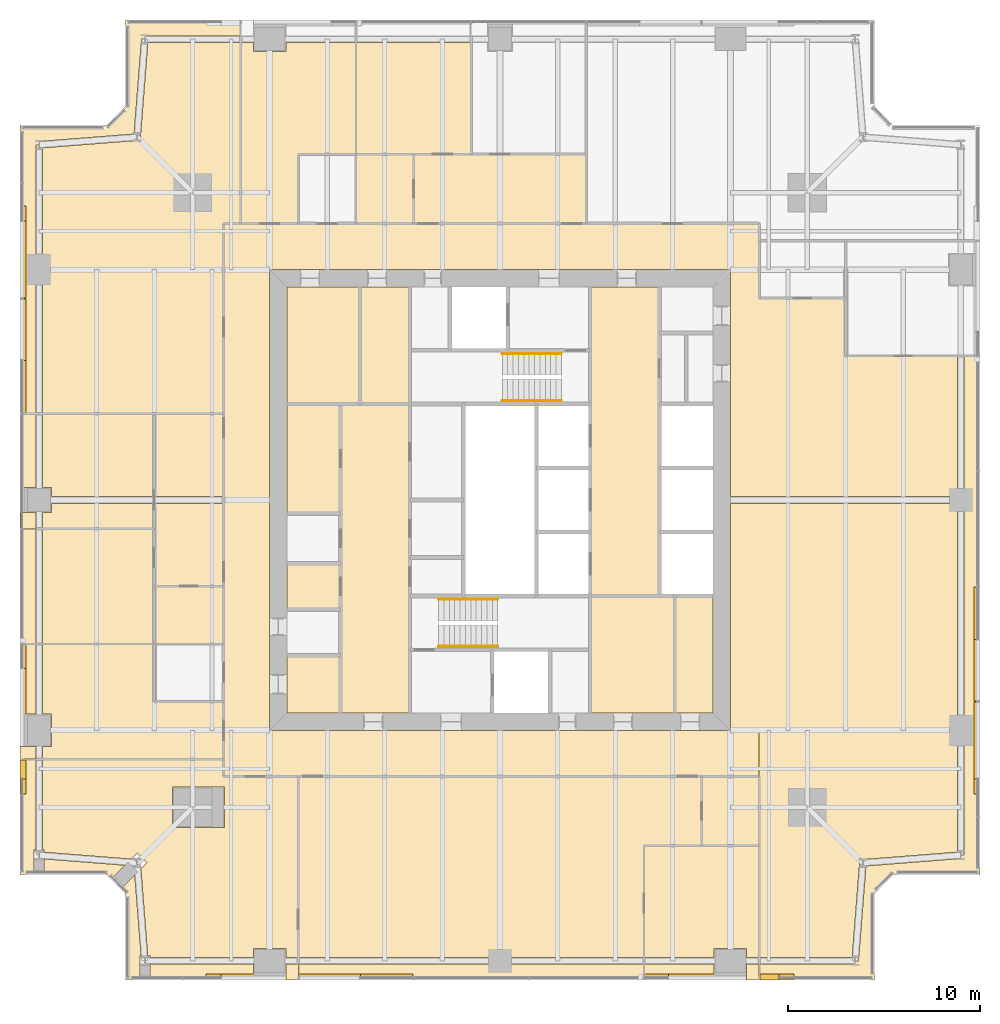
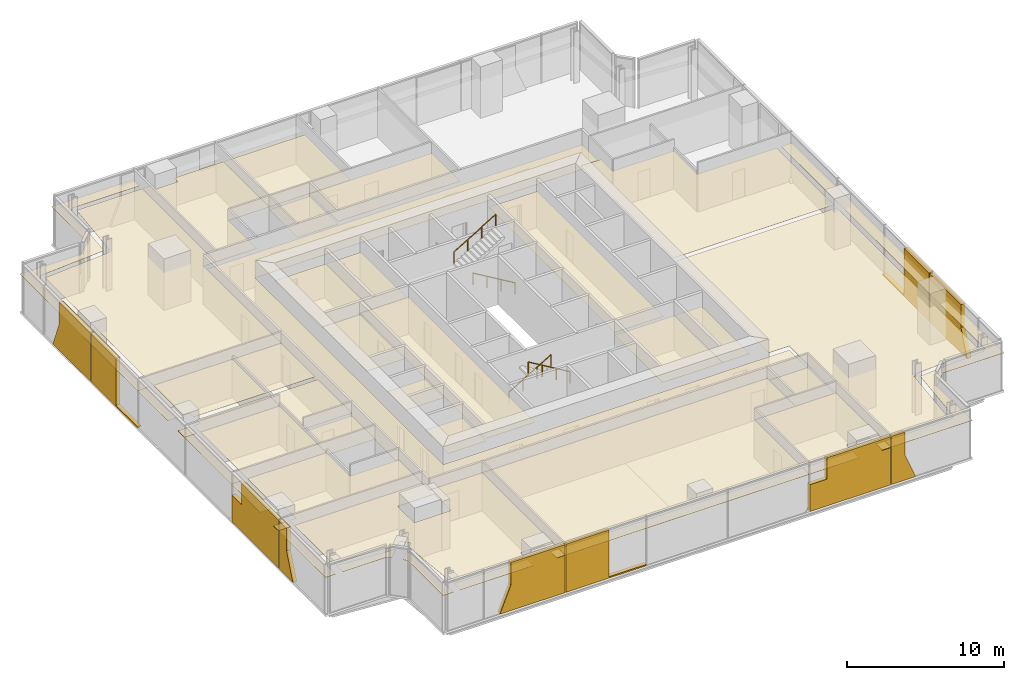
# One storey, part 13 of 14: 53 coverings, 4 railings.
"""IFC4 building model written with IfcOpenShell, lengths in metres."""

from ifc_helpers import new_model, si_unit, direction, frame, origin, origin_2d, place, context, subcontext, project, spatial, polyline, circle, outline, extrude, material, layer, layer_set, type_object, element, save


model = new_model("IFC4")

# Units and contexts
model_context = context("Model", 3, precision=1e-05, world=origin(), true_north=direction((0.0, 1.0)))
body_context = subcontext(model_context, "Body", "Model", "MODEL_VIEW")
ifc_project = project(units=[si_unit("LENGTHUNIT", "METRE"), si_unit("AREAUNIT", "SQUARE_METRE"), si_unit("VOLUMEUNIT", "CUBIC_METRE"), si_unit("PLANEANGLEUNIT", "RADIAN"), si_unit("MASSUNIT", "GRAM", prefix="KILO")], contexts=[model_context])

# Site, building, storey
site_placement = place(None, origin())
site = spatial("IfcSite", under=ifc_project, at=site_placement, CompositionType="ELEMENT")
building_placement = place(site_placement, origin())
building = spatial("IfcBuilding", under=site, at=building_placement, Name="Fenwick Lantern Interchange", CompositionType="ELEMENT")
storey_placement = place(building_placement, frame((0.0, 0.0, 197.800048828125)))
storey = spatial("IfcBuildingStorey", under=building, at=storey_placement, Name="L46", CompositionType="ELEMENT", Elevation=197.800048828125)

# Coverings
ifc_material_1 = material(Name="Mineral fibre acoustic tile on suspended grid")
ifc_layer_1 = layer(ifc_material_1, 0.02001953125)
ifc_layer_set_1 = layer_set([ifc_layer_1], Name="ACOUSTIC TILE CEILING 20")
covering_type_1 = type_object("IfcCoveringType", Name="ACOUSTIC TILE CEILING 20", PredefinedType="CEILING", material=ifc_layer_set_1)
covering_1_placement = place(storey_placement, frame((0.0, 0.0, 2.699951171875)))
element("IfcCovering", 1, at=covering_1_placement, inside=storey, type_object=covering_type_1, Name="Mail room ceiling", PredefinedType="CEILING", context=body_context, shape_type="SweptSolid", body=[
    extrude(outline(polyline([(13.89990234375, 19.300048828125), (16.699951171875, 19.300048828125), (16.699951171875, 21.699951171875), (13.89990234375, 21.699951171875), (13.89990234375, 19.300048828125)])), origin(), (0.0, 0.0, 1.0), 0.02001953125),
])
covering_2_placement = place(storey_placement, frame((0.0, 0.0, 2.89990234375)))
element("IfcCovering", 2, at=covering_2_placement, inside=storey, type_object=covering_type_1, Name="Open office ceiling", PredefinedType="CEILING", context=body_context, shape_type="SweptSolid", body=[
    extrude(outline(polyline([(35.5, 10.60009765625), (14.5, 10.60009765625), (14.5, 1.17236328125), (25.0, 1.17236328125), (32.5, 1.17236328125), (32.5, 7.0), (35.5, 7.0), (35.5, 10.60009765625)])), origin(), (0.0, 0.0, 1.0), 0.02001953125),
])
covering_3_placement = place(storey_placement, frame((0.0, 0.0, 2.89990234375)))
element("IfcCovering", 3, at=covering_3_placement, inside=storey, type_object=covering_type_1, Name="Open office ceiling", PredefinedType="CEILING", context=body_context, shape_type="SweptSolid", body=[
    extrude(outline(polyline([(32.5, 0.0), (32.5, 0.82763671875), (25.0, 0.82763671875), (14.5, 0.82763671875), (14.5, 0.0), (32.5, 0.0)])), origin(), (0.0, 0.0, 1.0), 0.02001953125),
])
covering_4_placement = place(storey_placement, frame((0.0, 0.0, 2.89990234375)))
element("IfcCovering", 4, at=covering_4_placement, inside=storey, type_object=covering_type_1, Name="Office lounge ceiling", PredefinedType="CEILING", context=body_context, shape_type="SweptSolid", body=[
    extrude(outline(polyline([(14.5, 10.60009765625), (10.60009765625, 10.60009765625), (10.60009765625, 11.5), (1.17236328125, 11.5), (1.17236328125, 6.78759765625), (1.26220703125, 6.78759765625), (1.26220703125, 6.65234375), (5.77783203125, 6.298095703125), (6.10009765625, 6.620361328125), (6.620361328125, 6.10009765625), (6.298095703125, 5.77783203125), (6.650390625, 1.28759765625), (6.76220703125, 1.28759765625), (6.76220703125, 1.17236328125), (12.14990234375, 1.17236328125), (12.14990234375, 1.64990234375), (13.85009765625, 1.64990234375), (13.85009765625, 1.17236328125), (14.5, 1.17236328125), (14.5, 10.60009765625)]), holes=[polyline([(7.949951171875, 7.949951171875), (7.949951171875, 10.050048828125), (10.64990234375, 10.050048828125), (10.64990234375, 7.949951171875), (7.949951171875, 7.949951171875)])]), origin(), (0.0, 0.0, 1.0), 0.02001953125),
])
covering_5_placement = place(storey_placement, frame((0.0, 0.0, 2.89990234375)))
element("IfcCovering", 5, at=covering_5_placement, inside=storey, type_object=covering_type_1, Name="Office lounge ceiling", PredefinedType="CEILING", context=body_context, shape_type="SweptSolid", body=[
    extrude(outline(polyline([(0.73779296875, 6.78759765625), (0.82763671875, 6.78759765625), (0.82763671875, 11.5), (0.0, 11.5), (0.0, 5.5), (0.73779296875, 5.5), (0.73779296875, 6.78759765625)])), origin(), (0.0, 0.0, 1.0), 0.02001953125),
])
covering_6_placement = place(storey_placement, frame((0.0, 0.0, 2.89990234375)))
element("IfcCovering", 6, at=covering_6_placement, inside=storey, type_object=covering_type_1, Name="Office lounge ceiling", PredefinedType="CEILING", context=body_context, shape_type="SweptSolid", body=[
    extrude(outline(polyline([(12.14990234375, 0.0), (12.14990234375, 0.82763671875), (6.76220703125, 0.82763671875), (6.76220703125, 0.0), (12.14990234375, 0.0)])), origin(), (0.0, 0.0, 1.0), 0.02001953125),
])
covering_7_placement = place(storey_placement, frame((0.0, 0.0, 2.89990234375)))
element("IfcCovering", 7, at=covering_7_placement, inside=storey, type_object=covering_type_1, Name="Office lounge ceiling", PredefinedType="CEILING", context=body_context, shape_type="SweptSolid", body=[
    extrude(outline(polyline([(6.23779296875, 1.28759765625), (6.304443359375, 1.28759765625), (5.9775390625, 5.457275390625), (5.26025390625, 4.73974609375), (5.5, 4.5), (5.5, 0.0), (6.23779296875, 0.0), (6.23779296875, 1.28759765625)])), origin(), (0.0, 0.0, 1.0), 0.02001953125),
])
covering_8_placement = place(storey_placement, frame((0.0, 0.0, 2.89990234375)))
element("IfcCovering", 8, at=covering_8_placement, inside=storey, type_object=covering_type_1, Name="Office lounge ceiling", PredefinedType="CEILING", context=body_context, shape_type="SweptSolid", body=[
    extrude(outline(polyline([(4.73974609375, 5.26025390625), (5.457275390625, 5.9775390625), (1.26220703125, 6.306396484375), (1.26220703125, 5.5), (4.5, 5.5), (4.73974609375, 5.26025390625)])), origin(), (0.0, 0.0, 1.0), 0.02001953125),
])
covering_9_placement = place(storey_placement, frame((0.0, 0.0, 2.89990234375)))
element("IfcCovering", 9, at=covering_9_placement, inside=storey, type_object=covering_type_1, Name="Office lounge ceiling", PredefinedType="CEILING", context=body_context, shape_type="SweptSolid", body=[
    extrude(outline(polyline([(14.5, 0.0), (14.5, 0.82763671875), (13.85009765625, 0.82763671875), (13.85009765625, 0.0), (14.5, 0.0)])), origin(), (0.0, 0.0, 1.0), 0.02001953125),
])
covering_10_placement = place(storey_placement, frame((0.0, 0.0, 2.89990234375)))
element("IfcCovering", 10, at=covering_10_placement, inside=storey, type_object=covering_type_1, Name="Meeting room ceiling", PredefinedType="CEILING", context=body_context, shape_type="SweptSolid", body=[
    extrude(outline(polyline([(32.5, 7.0), (32.5, 1.17236328125), (36.14990234375, 1.17236328125), (36.14990234375, 1.64990234375), (37.85009765625, 1.64990234375), (37.85009765625, 1.17236328125), (38.5, 1.17236328125), (38.5, 7.0), (32.5, 7.0)])), origin(), (0.0, 0.0, 1.0), 0.02001953125),
])
covering_11_placement = place(storey_placement, frame((0.0, 0.0, 2.89990234375)))
element("IfcCovering", 11, at=covering_11_placement, inside=storey, type_object=covering_type_1, Name="Meeting room ceiling", PredefinedType="CEILING", context=body_context, shape_type="SweptSolid", body=[
    extrude(outline(polyline([(32.5, 0.82763671875), (32.5, 0.0), (36.14990234375, 0.0), (36.14990234375, 0.82763671875), (32.5, 0.82763671875)])), origin(), (0.0, 0.0, 1.0), 0.02001953125),
])
covering_12_placement = place(storey_placement, frame((0.0, 0.0, 2.89990234375)))
element("IfcCovering", 12, at=covering_12_placement, inside=storey, type_object=covering_type_1, Name="Meeting room ceiling", PredefinedType="CEILING", context=body_context, shape_type="SweptSolid", body=[
    extrude(outline(polyline([(38.5, 0.0), (38.5, 0.82763671875), (37.85009765625, 0.82763671875), (37.85009765625, 0.0), (38.5, 0.0)])), origin(), (0.0, 0.0, 1.0), 0.02001953125),
])
covering_13_placement = place(storey_placement, frame((0.0, 0.0, 2.89990234375)))
element("IfcCovering", 13, at=covering_13_placement, inside=storey, type_object=covering_type_1, Name="Open office ceiling", PredefinedType="CEILING", context=body_context, shape_type="SweptSolid", body=[
    extrude(outline(polyline([(38.5, 13.0), (38.5, 1.17236328125), (43.340576171875, 1.17236328125), (43.72802734375, 6.113525390625), (43.89990234375, 6.10009765625), (43.886474609375, 6.27197265625), (48.82763671875, 6.659423828125), (48.82763671875, 13.0), (48.82763671875, 24.824951171875), (37.0, 24.824951171875), (37.0, 13.0), (38.5, 13.0)])), origin(), (0.0, 0.0, 1.0), 0.02001953125),
])
covering_14_placement = place(storey_placement, frame((0.0, 0.0, 2.89990234375)))
element("IfcCovering", 14, at=covering_14_placement, inside=storey, type_object=covering_type_1, Name="Open office ceiling", PredefinedType="CEILING", context=body_context, shape_type="SweptSolid", body=[
    extrude(outline(polyline([(37.0, 37.0), (37.0, 25.175048828125), (48.82763671875, 25.175048828125), (48.82763671875, 32.5), (43.0, 32.5), (43.0, 35.5), (38.5, 35.5), (38.5, 37.0), (37.0, 37.0)])), origin(), (0.0, 0.0, 1.0), 0.02001953125),
])
covering_15_placement = place(storey_placement, frame((0.0, 0.0, 2.89990234375)))
element("IfcCovering", 15, at=covering_15_placement, inside=storey, type_object=covering_type_1, Name="Open office ceiling", PredefinedType="CEILING", context=body_context, shape_type="SweptSolid", body=[
    extrude(outline(polyline([(45.5, 5.5), (50.0, 5.5), (50.0, 32.5), (49.17236328125, 32.5), (49.17236328125, 25.0), (49.17236328125, 13.0), (49.17236328125, 6.5), (49.0, 6.5), (49.013427734375, 6.328125), (44.060302734375, 5.939697265625), (43.671875, 0.986572265625), (43.5, 1.0), (43.5, 0.82763671875), (38.5, 0.82763671875), (38.5, 0.0), (44.5, 0.0), (44.5, 4.5), (45.5, 5.5)])), origin(), (0.0, 0.0, 1.0), 0.02001953125),
])
covering_16_placement = place(storey_placement, frame((0.0, 0.0, 2.89990234375)))
element("IfcCovering", 16, at=covering_16_placement, inside=storey, type_object=covering_type_1, Name="Meeting room ceiling", PredefinedType="CEILING", context=body_context, shape_type="SweptSolid", body=[
    extrude(outline(polyline([(23.5, 43.0), (23.5, 48.82763671875), (17.5, 48.82763671875), (17.5, 43.0), (23.5, 43.0)])), origin(), (0.0, 0.0, 1.0), 0.02001953125),
])
covering_17_placement = place(storey_placement, frame((0.0, 0.0, 2.89990234375)))
element("IfcCovering", 17, at=covering_17_placement, inside=storey, type_object=covering_type_1, Name="Meeting room ceiling", PredefinedType="CEILING", context=body_context, shape_type="SweptSolid", body=[
    extrude(outline(polyline([(12.14990234375, 48.35009765625), (12.14990234375, 48.82763671875), (11.5, 48.82763671875), (11.5, 39.39990234375), (14.5, 39.39990234375), (14.5, 43.0), (17.5, 43.0), (17.5, 48.82763671875), (13.85009765625, 48.82763671875), (13.85009765625, 48.35009765625), (12.14990234375, 48.35009765625)])), origin(), (0.0, 0.0, 1.0), 0.02001953125),
])
covering_18_placement = place(storey_placement, frame((0.0, 0.0, 2.89990234375)))
element("IfcCovering", 18, at=covering_18_placement, inside=storey, type_object=covering_type_1, Name="Meeting room ceiling", PredefinedType="CEILING", context=body_context, shape_type="SweptSolid", body=[
    extrude(outline(polyline([(7.0, 29.5), (1.17236328125, 29.5), (1.17236328125, 25.64990234375), (1.64990234375, 25.64990234375), (1.64990234375, 25.175048828125), (7.0, 25.175048828125), (7.0, 29.5)])), origin(), (0.0, 0.0, 1.0), 0.02001953125),
])
covering_19_placement = place(storey_placement, frame((0.0, 0.0, 2.89990234375)))
element("IfcCovering", 19, at=covering_19_placement, inside=storey, type_object=covering_type_1, Name="Meeting room ceiling", PredefinedType="CEILING", context=body_context, shape_type="SweptSolid", body=[
    extrude(outline(polyline([(7.0, 23.5), (7.0, 24.824951171875), (1.64990234375, 24.824951171875), (1.64990234375, 24.35009765625), (1.17236328125, 24.35009765625), (1.17236328125, 23.5), (7.0, 23.5)])), origin(), (0.0, 0.0, 1.0), 0.02001953125),
])
covering_20_placement = place(storey_placement, frame((0.0, 0.0, 2.89990234375)))
element("IfcCovering", 20, at=covering_20_placement, inside=storey, type_object=covering_type_1, Name="Meeting room ceiling", PredefinedType="CEILING", context=body_context, shape_type="SweptSolid", body=[
    extrude(outline(polyline([(0.82763671875, 29.5), (0.0, 29.5), (0.0, 25.64990234375), (0.82763671875, 25.64990234375), (0.82763671875, 29.5)])), origin(), (0.0, 0.0, 1.0), 0.02001953125),
])
covering_21_placement = place(storey_placement, frame((0.0, 0.0, 2.89990234375)))
element("IfcCovering", 21, at=covering_21_placement, inside=storey, type_object=covering_type_1, Name="Meeting room ceiling", PredefinedType="CEILING", context=body_context, shape_type="SweptSolid", body=[
    extrude(outline(polyline([(0.0, 23.5), (0.82763671875, 23.5), (0.82763671875, 24.35009765625), (0.0, 24.35009765625), (0.0, 23.5)])), origin(), (0.0, 0.0, 1.0), 0.02001953125),
])
covering_22_placement = place(storey_placement, frame((0.0, 0.0, 2.89990234375)))
element("IfcCovering", 22, at=covering_22_placement, inside=storey, type_object=covering_type_1, Name="Meeting room ceiling", PredefinedType="CEILING", context=body_context, shape_type="SweptSolid", body=[
    extrude(outline(polyline([(7.0, 23.5), (1.17236328125, 23.5), (1.17236328125, 17.5), (7.0, 17.5), (7.0, 23.5)])), origin(), (0.0, 0.0, 1.0), 0.02001953125),
])
covering_23_placement = place(storey_placement, frame((0.0, 0.0, 2.89990234375)))
element("IfcCovering", 23, at=covering_23_placement, inside=storey, type_object=covering_type_1, Name="Meeting room ceiling", PredefinedType="CEILING", context=body_context, shape_type="SweptSolid", body=[
    extrude(outline(polyline([(0.0, 17.5), (0.82763671875, 17.5), (0.82763671875, 23.5), (0.0, 23.5), (0.0, 17.5)])), origin(), (0.0, 0.0, 1.0), 0.02001953125),
])
covering_24_placement = place(storey_placement, frame((0.0, 0.0, 2.89990234375)))
element("IfcCovering", 24, at=covering_24_placement, inside=storey, type_object=covering_type_1, Name="Open office ceiling", PredefinedType="CEILING", context=body_context, shape_type="SweptSolid", body=[
    extrude(outline(polyline([(11.5, 39.39990234375), (11.5, 48.82763671875), (6.659423828125, 48.82763671875), (6.27197265625, 43.886474609375), (6.10009765625, 43.89990234375), (6.113525390625, 43.72802734375), (1.17236328125, 43.340576171875), (1.17236328125, 37.0), (1.17236328125, 29.5), (10.60009765625, 29.5), (10.60009765625, 39.39990234375), (11.5, 39.39990234375)])), origin(), (0.0, 0.0, 1.0), 0.02001953125),
])
covering_25_placement = place(storey_placement, frame((0.0, 0.0, 2.89990234375)))
element("IfcCovering", 25, at=covering_25_placement, inside=storey, type_object=covering_type_1, Name="Open office ceiling", PredefinedType="CEILING", context=body_context, shape_type="SweptSolid", body=[
    extrude(outline(polyline([(0.0, 44.5), (0.0, 29.5), (0.82763671875, 29.5), (0.82763671875, 37.0), (0.82763671875, 43.5), (1.0, 43.5), (0.986572265625, 43.671875), (5.939697265625, 44.060302734375), (6.328125, 49.013427734375), (6.5, 49.0), (6.5, 49.17236328125), (11.5, 49.17236328125), (11.5, 50.0), (5.5, 50.0), (5.5, 45.5), (4.5, 44.5), (0.0, 44.5)])), origin(), (0.0, 0.0, 1.0), 0.02001953125),
])
covering_26_placement = place(storey_placement, frame((0.0, 0.0, 2.89990234375)))
element("IfcCovering", 26, at=covering_26_placement, inside=storey, type_object=covering_type_1, Name="Meeting room ceiling", PredefinedType="CEILING", context=body_context, shape_type="SweptSolid", body=[
    extrude(outline(polyline([(1.64990234375, 12.14990234375), (1.17236328125, 12.14990234375), (1.17236328125, 11.5), (10.60009765625, 11.5), (10.60009765625, 14.5), (7.0, 14.5), (7.0, 17.5), (1.17236328125, 17.5), (1.17236328125, 13.85009765625), (1.64990234375, 13.85009765625), (1.64990234375, 12.14990234375)])), origin(), (0.0, 0.0, 1.0), 0.02001953125),
])
covering_27_placement = place(storey_placement, frame((0.0, 0.0, 2.89990234375)))
element("IfcCovering", 27, at=covering_27_placement, inside=storey, type_object=covering_type_1, Name="Meeting room ceiling", PredefinedType="CEILING", context=body_context, shape_type="SweptSolid", body=[
    extrude(outline(polyline([(0.0, 13.85009765625), (0.82763671875, 13.85009765625), (0.82763671875, 17.5), (0.0, 17.5), (0.0, 13.85009765625)])), origin(), (0.0, 0.0, 1.0), 0.02001953125),
])
covering_28_placement = place(storey_placement, frame((0.0, 0.0, 2.89990234375)))
element("IfcCovering", 28, at=covering_28_placement, inside=storey, type_object=covering_type_1, Name="Meeting room ceiling", PredefinedType="CEILING", context=body_context, shape_type="SweptSolid", body=[
    extrude(outline(polyline([(0.82763671875, 12.14990234375), (0.0, 12.14990234375), (0.0, 11.5), (0.82763671875, 11.5), (0.82763671875, 12.14990234375)])), origin(), (0.0, 0.0, 1.0), 0.02001953125),
])
ifc_material_2 = material(Name="Granite cladding, warm grey flamed finish, on aluminium carrier frame", Category="masonry")
ifc_layer_2 = layer(ifc_material_2, 0.300048828125)
ifc_layer_set_2 = layer_set([ifc_layer_2], Name="BRACE CASING PANEL 300")
covering_type_2 = type_object("IfcCoveringType", Name="BRACE CASING PANEL 300", PredefinedType="CLADDING", material=ifc_layer_set_2)
covering_29_placement = place(storey_placement, frame((5.60009765625, 0.10009765625, 0.0), z_axis=(0.0, 0.0, 1.0), x_axis=(1.0, 0.0, 0.0)))
element("IfcCovering", 29, at=covering_29_placement, inside=storey, type_object=covering_type_2, Name="Brace casing 01 bay 01a", PredefinedType="CLADDING", context=body_context, shape_type="SweptSolid", body=[
    extrude(outline(polyline([(4.078369140625, 0.0), (8.867431640625, 0.0), (8.867431640625, 3.75), (4.880126953125, 3.75), (4.880126953125, 1.973388671875), (4.078369140625, 0.0)])), frame((0.0, 0.2001953125, 0.0), z_axis=(0.0, -1.0, 0.0), x_axis=(1.0, 0.0, 0.0)), (0.0, 0.0, 1.0), 0.300048828125),
])
covering_30_placement = place(storey_placement, frame((5.60009765625, 0.10009765625, 0.0), z_axis=(0.0, 0.0, 1.0), x_axis=(1.0, 0.0, 0.0)))
element("IfcCovering", 30, at=covering_30_placement, inside=storey, type_object=covering_type_2, Name="Brace casing 01 bay 02a", PredefinedType="CLADDING", context=body_context, shape_type="SweptSolid", body=[
    extrude(outline(polyline([(8.9326171875, 0.0), (14.867431640625, 0.0), (14.867431640625, 0.093994140625), (12.125, 0.093994140625), (12.125, 3.75), (8.9326171875, 3.75), (8.9326171875, 0.0)])), frame((0.0, 0.2001953125, 0.0), z_axis=(0.0, -1.0, 0.0), x_axis=(1.0, 0.0, 0.0)), (0.0, 0.0, 1.0), 0.300048828125),
])
covering_31_placement = place(storey_placement, frame((5.60009765625, 0.10009765625, 0.0), z_axis=(0.0, 0.0, 1.0), x_axis=(1.0, 0.0, 0.0)))
element("IfcCovering", 31, at=covering_31_placement, inside=storey, type_object=covering_type_2, Name="Brace casing 01 bay 05a", PredefinedType="CLADDING", context=body_context, shape_type="SweptSolid", body=[
    extrude(outline(polyline([(26.9326171875, 0.0), (32.867431640625, 0.0), (32.867431640625, 3.75), (28.172607421875, 3.75), (28.172607421875, 2.090576171875), (26.9326171875, 2.090576171875), (26.9326171875, 0.0)])), frame((0.0, 0.2001953125, 0.0), z_axis=(0.0, -1.0, 0.0), x_axis=(1.0, 0.0, 0.0)), (0.0, 0.0, 1.0), 0.300048828125),
])
covering_32_placement = place(storey_placement, frame((5.60009765625, 0.10009765625, 0.0), z_axis=(0.0, 0.0, 1.0), x_axis=(1.0, 0.0, 0.0)))
element("IfcCovering", 32, at=covering_32_placement, inside=storey, type_object=covering_type_2, Name="Brace casing 01 bay 06a", PredefinedType="CLADDING", context=body_context, shape_type="SweptSolid", body=[
    extrude(outline(polyline([(32.9326171875, 0.0), (34.7216796875, 0.0), (33.919921875, 1.973388671875), (33.919921875, 3.75), (32.9326171875, 3.75), (32.9326171875, 0.0)])), frame((0.0, 0.2001953125, 0.0), z_axis=(0.0, -1.0, 0.0), x_axis=(1.0, 0.0, 0.0)), (0.0, 0.0, 1.0), 0.300048828125),
])
covering_33_placement = place(storey_placement, frame((49.89990234375, 5.60009765625, 0.0), z_axis=(0.0, 0.0, 1.0), x_axis=(0.0, 1.0, 0.0)))
element("IfcCovering", 33, at=covering_33_placement, inside=storey, type_object=covering_type_2, Name="Brace casing 05 bay 01a", PredefinedType="CLADDING", context=body_context, shape_type="SweptSolid", body=[
    extrude(outline(polyline([(4.078369140625, 0.0), (8.867431640625, 0.0), (8.867431640625, 3.75), (4.880126953125, 3.75), (4.880126953125, 1.973388671875), (4.078369140625, 0.0)])), frame((0.0, 0.2001953125, 0.0), z_axis=(0.0, -1.0, 0.0), x_axis=(1.0, 0.0, 0.0)), (0.0, 0.0, 1.0), 0.300048828125),
])
covering_34_placement = place(storey_placement, frame((49.89990234375, 5.60009765625, 0.0), z_axis=(0.0, 0.0, 1.0), x_axis=(0.0, 1.0, 0.0)))
element("IfcCovering", 34, at=covering_34_placement, inside=storey, type_object=covering_type_2, Name="Brace casing 05 bay 02a", PredefinedType="CLADDING", context=body_context, shape_type="SweptSolid", body=[
    extrude(outline(polyline([(8.9326171875, 0.0), (14.867431640625, 0.0), (14.867431640625, 0.093994140625), (12.125, 0.093994140625), (12.125, 3.75), (8.9326171875, 3.75), (8.9326171875, 0.0)])), frame((0.0, 0.2001953125, 0.0), z_axis=(0.0, -1.0, 0.0), x_axis=(1.0, 0.0, 0.0)), (0.0, 0.0, 1.0), 0.300048828125),
])
covering_35_placement = place(storey_placement, frame((0.10009765625, 44.39990234375, 0.0), z_axis=(0.0, 0.0, 1.0), x_axis=(0.0, -1.0, 0.0)))
element("IfcCovering", 35, at=covering_35_placement, inside=storey, type_object=covering_type_2, Name="Brace casing 13 bay 01a", PredefinedType="CLADDING", context=body_context, shape_type="SweptSolid", body=[
    extrude(outline(polyline([(4.078369140625, 0.0), (8.867431640625, 0.0), (8.867431640625, 3.75), (4.880126953125, 3.75), (4.880126953125, 1.973388671875), (4.078369140625, 0.0)])), frame((0.0, 0.2001953125, 0.0), z_axis=(0.0, -1.0, 0.0), x_axis=(1.0, 0.0, 0.0)), (0.0, 0.0, 1.0), 0.300048828125),
])
covering_36_placement = place(storey_placement, frame((0.10009765625, 44.39990234375, 0.0), z_axis=(0.0, 0.0, 1.0), x_axis=(0.0, -1.0, 0.0)))
element("IfcCovering", 36, at=covering_36_placement, inside=storey, type_object=covering_type_2, Name="Brace casing 13 bay 02a", PredefinedType="CLADDING", context=body_context, shape_type="SweptSolid", body=[
    extrude(outline(polyline([(8.9326171875, 0.0), (14.867431640625, 0.0), (14.867431640625, 0.093994140625), (12.125, 0.093994140625), (12.125, 3.75), (8.9326171875, 3.75), (8.9326171875, 0.0)])), frame((0.0, 0.2001953125, 0.0), z_axis=(0.0, -1.0, 0.0), x_axis=(1.0, 0.0, 0.0)), (0.0, 0.0, 1.0), 0.300048828125),
])
covering_37_placement = place(storey_placement, frame((0.10009765625, 44.39990234375, 0.0), z_axis=(0.0, 0.0, 1.0), x_axis=(0.0, -1.0, 0.0)))
element("IfcCovering", 37, at=covering_37_placement, inside=storey, type_object=covering_type_2, Name="Brace casing 13 bay 05a", PredefinedType="CLADDING", context=body_context, shape_type="SweptSolid", body=[
    extrude(outline(polyline([(26.9326171875, 0.0), (32.867431640625, 0.0), (32.867431640625, 3.75), (28.172607421875, 3.75), (28.172607421875, 2.090576171875), (26.9326171875, 2.090576171875), (26.9326171875, 0.0)])), frame((0.0, 0.2001953125, 0.0), z_axis=(0.0, -1.0, 0.0), x_axis=(1.0, 0.0, 0.0)), (0.0, 0.0, 1.0), 0.300048828125),
])
covering_38_placement = place(storey_placement, frame((0.10009765625, 44.39990234375, 0.0), z_axis=(0.0, 0.0, 1.0), x_axis=(0.0, -1.0, 0.0)))
element("IfcCovering", 38, at=covering_38_placement, inside=storey, type_object=covering_type_2, Name="Brace casing 13 bay 06a", PredefinedType="CLADDING", context=body_context, shape_type="SweptSolid", body=[
    extrude(outline(polyline([(32.9326171875, 0.0), (34.7216796875, 0.0), (33.919921875, 1.973388671875), (33.919921875, 3.75), (32.9326171875, 3.75), (32.9326171875, 0.0)])), frame((0.0, 0.2001953125, 0.0), z_axis=(0.0, -1.0, 0.0), x_axis=(1.0, 0.0, 0.0)), (0.0, 0.0, 1.0), 0.300048828125),
])

# Railings
ifc_material_3 = material(Name="Stainless steel handrail", Category="steel")
railing_type = type_object("IfcRailingType", Name="HANDRAIL 900", PredefinedType="HANDRAIL", material=ifc_material_3)
railing_1_placement = place(storey_placement, frame((21.800048828125, 19.825927734375, 0.16650390625)))
element("IfcRailing", 39, at=railing_1_placement, inside=storey, type_object=railing_type, Name="L46/STAIR/ST1/HR1", PredefinedType="HANDRAIL", context=body_context, shape_type="SweptSolid", body=[
    extrude(circle(Radius=0.02392578125, at=origin_2d()), frame((0.0, 0.0, 0.8759765625), z_axis=(0.859260807169, 0.0, 0.511537745687), x_axis=(0.0, 1.0, 0.0)), (0.0, 0.0, 1.0), 3.584228515625),
    extrude(circle(Radius=0.02099609375, at=origin_2d()), origin(), (0.0, 0.0, 1.0), 0.851806640625),
    extrude(circle(Radius=0.02099609375, at=origin_2d()), frame((1.026611328125, 0.0, 0.611083984375)), (0.0, 0.0, 1.0), 0.851806640625),
    extrude(circle(Radius=0.02099609375, at=origin_2d()), frame((2.05322265625, 0.0, 1.222412109375)), (0.0, 0.0, 1.0), 0.851806640625),
    extrude(circle(Radius=0.02099609375, at=origin_2d()), frame((3.079833984375, 0.0, 1.83349609375)), (0.0, 0.0, 1.0), 0.851806640625),
])
for number, where, name in (
    (40, (24.8798828125, 17.3740234375, 2.16650390625), "L46/STAIR/ST1/HR2"),
    (41, (28.199951171875, 30.174072265625, 0.16650390625), "L46/STAIR/ST2/HR1"),
):
    element("IfcRailing", number, at=place(storey_placement, frame(where)), inside=storey, type_object=railing_type, Name=name, PredefinedType="HANDRAIL", context=body_context, shape_type="SweptSolid", body=[
        extrude(circle(Radius=0.02392578125, at=origin_2d()), frame((0.0, 0.0, 0.8759765625), z_axis=(-0.859260807169, 0.0, 0.511537745687), x_axis=(0.0, -1.0, 0.0)), (0.0, 0.0, 1.0), 3.584228515625),
        extrude(circle(Radius=0.02099609375, at=origin_2d()), origin(), (0.0, 0.0, 1.0), 0.851806640625),
        extrude(circle(Radius=0.02099609375, at=origin_2d()), frame((-1.026611328125, 0.0, 0.611083984375)), (0.0, 0.0, 1.0), 0.851806640625),
        extrude(circle(Radius=0.02099609375, at=origin_2d()), frame((-2.05322265625, 0.0, 1.222412109375)), (0.0, 0.0, 1.0), 0.851806640625),
        extrude(circle(Radius=0.02099609375, at=origin_2d()), frame((-3.079833984375, 0.0, 1.83349609375)), (0.0, 0.0, 1.0), 0.851806640625),
    ])
railing_2_placement = place(storey_placement, frame((25.1201171875, 32.6259765625, 2.16650390625)))
element("IfcRailing", 42, at=railing_2_placement, inside=storey, type_object=railing_type, Name="L46/STAIR/ST2/HR2", PredefinedType="HANDRAIL", context=body_context, shape_type="SweptSolid", body=[
    extrude(circle(Radius=0.02392578125, at=origin_2d()), frame((0.0, 0.0, 0.8759765625), z_axis=(0.859260807169, 0.0, 0.511537745687), x_axis=(0.0, 1.0, 0.0)), (0.0, 0.0, 1.0), 3.584228515625),
    extrude(circle(Radius=0.02099609375, at=origin_2d()), origin(), (0.0, 0.0, 1.0), 0.851806640625),
    extrude(circle(Radius=0.02099609375, at=origin_2d()), frame((1.026611328125, 0.0, 0.611083984375)), (0.0, 0.0, 1.0), 0.851806640625),
    extrude(circle(Radius=0.02099609375, at=origin_2d()), frame((2.05322265625, 0.0, 1.222412109375)), (0.0, 0.0, 1.0), 0.851806640625),
    extrude(circle(Radius=0.02099609375, at=origin_2d()), frame((3.079833984375, 0.0, 1.83349609375)), (0.0, 0.0, 1.0), 0.851806640625),
])

# Coverings
ifc_material_4 = material(Name="Moisture resistant gypsum board on suspended frame, painted")
ifc_layer_3 = layer(ifc_material_4, 0.014892578125)
ifc_layer_set_3 = layer_set([ifc_layer_3], Name="MOISTURE RESISTANT CEILING 15")
covering_type_3 = type_object("IfcCoveringType", Name="MOISTURE RESISTANT CEILING 15", PredefinedType="CEILING", material=ifc_layer_set_3)
covering_39_placement = place(storey_placement, frame((0.0, 0.0, 2.599853515625)))
element("IfcCovering", 43, at=covering_39_placement, inside=storey, type_object=covering_type_3, Name="Women's WC ceiling", PredefinedType="CEILING", context=body_context, shape_type="SweptSolid", body=[
    extrude(outline(polyline([(29.699951171875, 13.89990234375), (34.10009765625, 13.89990234375), (34.10009765625, 20.0), (29.699951171875, 20.0), (29.699951171875, 13.89990234375)])), origin(), (0.0, 0.0, 1.0), 0.01513671875),
])
covering_40_placement = place(storey_placement, frame((0.0, 0.0, 2.599853515625)))
element("IfcCovering", 44, at=covering_40_placement, inside=storey, type_object=covering_type_3, Name="Men's WC ceiling", PredefinedType="CEILING", context=body_context, shape_type="SweptSolid", body=[
    extrude(outline(polyline([(34.10009765625, 13.89990234375), (36.10009765625, 13.89990234375), (36.10009765625, 20.0), (34.10009765625, 20.0), (34.10009765625, 13.89990234375)])), origin(), (0.0, 0.0, 1.0), 0.01513671875),
])
covering_41_placement = place(storey_placement, frame((0.0, 0.0, 2.599853515625)))
element("IfcCovering", 45, at=covering_41_placement, inside=storey, type_object=covering_type_3, Name="Accessible WC ceiling", PredefinedType="CEILING", context=body_context, shape_type="SweptSolid", body=[
    extrude(outline(polyline([(13.89990234375, 13.89990234375), (16.699951171875, 13.89990234375), (16.699951171875, 16.89990234375), (13.89990234375, 16.89990234375), (13.89990234375, 13.89990234375)])), origin(), (0.0, 0.0, 1.0), 0.01513671875),
])
covering_42_placement = place(storey_placement, frame((0.0, 0.0, 2.699951171875)))
element("IfcCovering", 46, at=covering_42_placement, inside=storey, type_object=covering_type_3, Name="Pantry ceiling", PredefinedType="CEILING", context=body_context, shape_type="SweptSolid", body=[
    extrude(outline(polyline([(13.89990234375, 24.300048828125), (16.699951171875, 24.300048828125), (16.699951171875, 30.0), (13.89990234375, 30.0), (13.89990234375, 24.300048828125)])), origin(), (0.0, 0.0, 1.0), 0.014892578125),
])
covering_43_placement = place(storey_placement, frame((0.0, 0.0, 2.599853515625)))
element("IfcCovering", 47, at=covering_43_placement, inside=storey, type_object=covering_type_3, Name="Men's WC ceiling", PredefinedType="CEILING", context=body_context, shape_type="SweptSolid", body=[
    extrude(outline(polyline([(20.300048828125, 36.10009765625), (17.699951171875, 36.10009765625), (17.699951171875, 30.0), (20.300048828125, 30.0), (20.300048828125, 36.10009765625)])), origin(), (0.0, 0.0, 1.0), 0.01513671875),
])
covering_44_placement = place(storey_placement, frame((0.0, 0.0, 2.599853515625)))
element("IfcCovering", 48, at=covering_44_placement, inside=storey, type_object=covering_type_3, Name="Women's WC ceiling", PredefinedType="CEILING", context=body_context, shape_type="SweptSolid", body=[
    extrude(outline(polyline([(17.699951171875, 36.10009765625), (13.89990234375, 36.10009765625), (13.89990234375, 30.0), (17.699951171875, 30.0), (17.699951171875, 36.10009765625)])), origin(), (0.0, 0.0, 1.0), 0.01513671875),
])
covering_45_placement = place(storey_placement, frame((0.0, 0.0, 2.699951171875)))
element("IfcCovering", 49, at=covering_45_placement, inside=storey, type_object=covering_type_3, Name="Pantry ceiling", PredefinedType="CEILING", context=body_context, shape_type="SweptSolid", body=[
    extrude(outline(polyline([(35.5, 7.0), (38.5, 7.0), (38.5, 10.60009765625), (35.5, 10.60009765625), (35.5, 7.0)])), origin(), (0.0, 0.0, 1.0), 0.014892578125),
])
covering_46_placement = place(storey_placement, frame((0.0, 0.0, 2.699951171875)))
element("IfcCovering", 50, at=covering_46_placement, inside=storey, type_object=covering_type_3, Name="Pantry ceiling", PredefinedType="CEILING", context=body_context, shape_type="SweptSolid", body=[
    extrude(outline(polyline([(20.5, 43.0), (17.5, 43.0), (17.5, 39.39990234375), (20.5, 39.39990234375), (20.5, 43.0)])), origin(), (0.0, 0.0, 1.0), 0.014892578125),
])
covering_47_placement = place(storey_placement, frame((0.0, 0.0, 2.699951171875)))
element("IfcCovering", 51, at=covering_47_placement, inside=storey, type_object=covering_type_3, Name="Pantry ceiling", PredefinedType="CEILING", context=body_context, shape_type="SweptSolid", body=[
    extrude(outline(polyline([(7.0, 20.5), (7.0, 17.5), (10.60009765625, 17.5), (10.60009765625, 20.5), (7.0, 20.5)])), origin(), (0.0, 0.0, 1.0), 0.014892578125),
])
ifc_material_5 = material(Name="Gypsum plasterboard on suspended frame, painted")
ifc_layer_4 = layer(ifc_material_5, 0.014892578125)
ifc_layer_set_4 = layer_set([ifc_layer_4], Name="PLASTERBOARD CEILING 15")
covering_type_4 = type_object("IfcCoveringType", Name="PLASTERBOARD CEILING 15", PredefinedType="CEILING", material=ifc_layer_set_4)
covering_48_placement = place(storey_placement, frame((0.0, 0.0, 2.800048828125)))
element("IfcCovering", 52, at=covering_48_placement, inside=storey, type_object=covering_type_4, Name="Lift lobby ceiling", PredefinedType="CEILING", context=body_context, shape_type="SweptSolid", body=[
    extrude(outline(polyline([(16.699951171875, 13.89990234375), (20.300048828125, 13.89990234375), (20.300048828125, 30.0), (16.699951171875, 30.0), (16.699951171875, 13.89990234375)])), origin(), (0.0, 0.0, 1.0), 0.014892578125),
])
covering_49_placement = place(storey_placement, frame((0.0, 0.0, 2.800048828125)))
element("IfcCovering", 53, at=covering_49_placement, inside=storey, type_object=covering_type_4, Name="Lift lobby ceiling", PredefinedType="CEILING", context=body_context, shape_type="SweptSolid", body=[
    extrude(outline(polyline([(33.300048828125, 36.10009765625), (29.699951171875, 36.10009765625), (29.699951171875, 20.0), (33.300048828125, 20.0), (33.300048828125, 36.10009765625)])), origin(), (0.0, 0.0, 1.0), 0.014892578125),
])
covering_50_placement = place(storey_placement, frame((0.0, 0.0, 2.599853515625)))
element("IfcCovering", 54, at=covering_50_placement, inside=storey, type_object=covering_type_4, Name="Corridor ceiling", PredefinedType="CEILING", context=body_context, shape_type="SweptSolid", body=[
    extrude(outline(polyline([(10.60009765625, 39.39990234375), (10.60009765625, 10.60009765625), (38.5, 10.60009765625), (38.5, 13.0), (13.0, 13.0), (13.0, 37.0), (38.5, 37.0), (38.5, 39.39990234375), (10.60009765625, 39.39990234375)])), origin(), (0.0, 0.0, 1.0), 0.01513671875),
])
covering_51_placement = place(storey_placement, frame((0.0, 0.0, 2.89990234375)))
element("IfcCovering", 55, at=covering_51_placement, inside=storey, type_object=covering_type_4, Name="Reception ceiling", PredefinedType="CEILING", context=body_context, shape_type="SweptSolid", body=[
    extrude(outline(polyline([(29.5, 43.0), (20.5, 43.0), (20.5, 39.39990234375), (29.5, 39.39990234375), (29.5, 43.0)])), origin(), (0.0, 0.0, 1.0), 0.01513671875),
])
covering_52_placement = place(storey_placement, frame((0.0, 0.0, 2.89990234375)))
element("IfcCovering", 56, at=covering_52_placement, inside=storey, type_object=covering_type_4, Name="Reception ceiling", PredefinedType="CEILING", context=body_context, shape_type="SweptSolid", body=[
    extrude(outline(polyline([(10.60009765625, 20.5), (10.60009765625, 24.824951171875), (7.0, 24.824951171875), (7.0, 20.5), (10.60009765625, 20.5)])), origin(), (0.0, 0.0, 1.0), 0.01513671875),
])
covering_53_placement = place(storey_placement, frame((0.0, 0.0, 2.89990234375)))
element("IfcCovering", 57, at=covering_53_placement, inside=storey, type_object=covering_type_4, Name="Reception ceiling", PredefinedType="CEILING", context=body_context, shape_type="SweptSolid", body=[
    extrude(outline(polyline([(10.60009765625, 29.5), (7.0, 29.5), (7.0, 25.175048828125), (10.60009765625, 25.175048828125), (10.60009765625, 29.5)])), origin(), (0.0, 0.0, 1.0), 0.01513671875),
])

save(model, "model.ifc")
